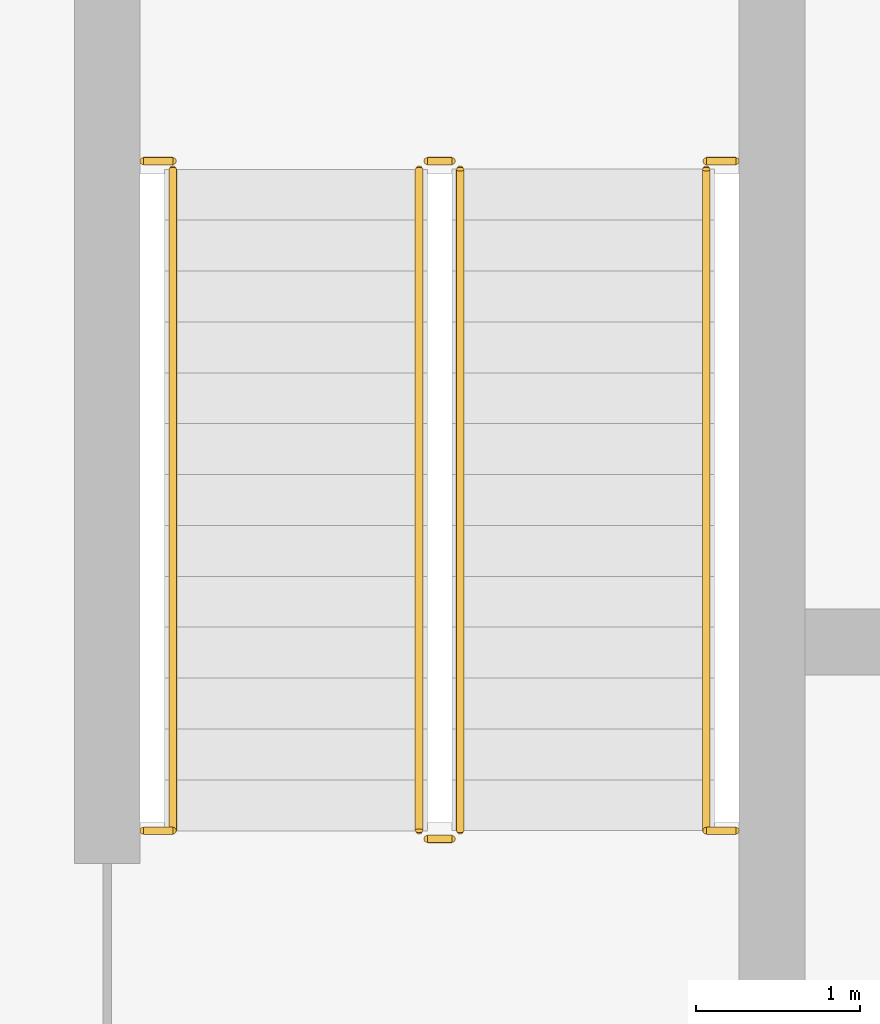
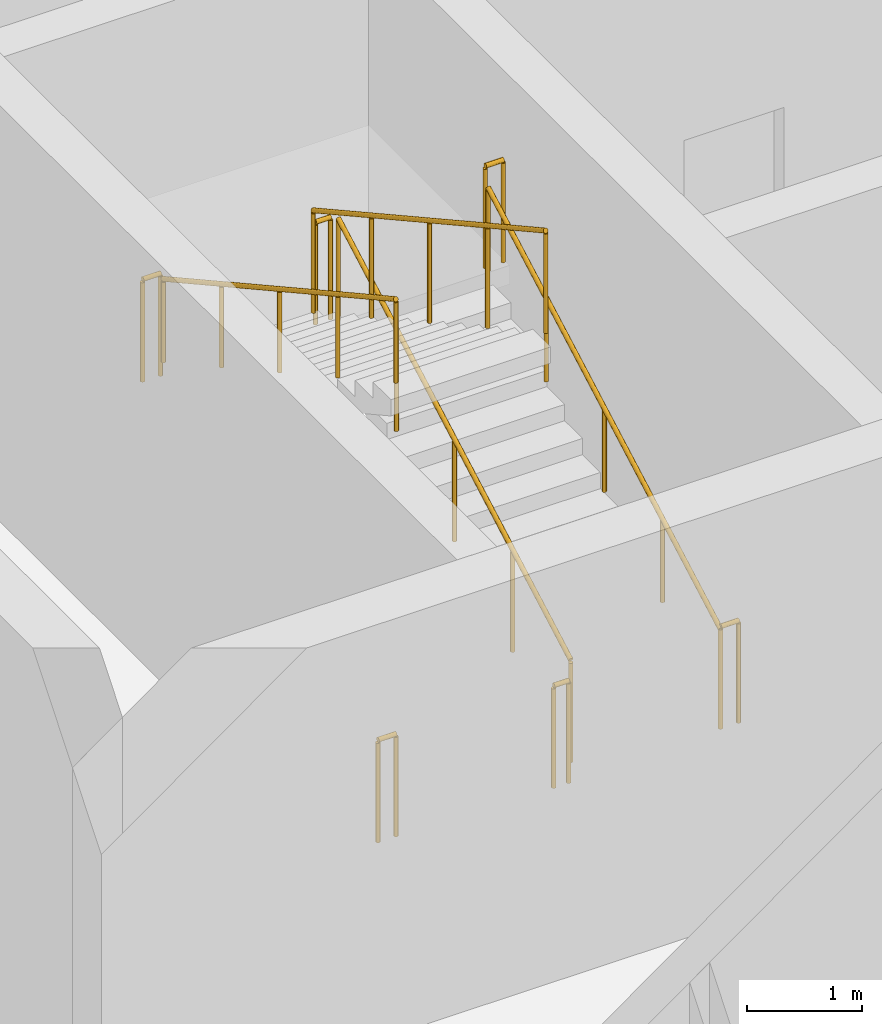
# One storey, part 25 of 29: 10 railings.
"""IFC4 building model written with IfcOpenShell, lengths in metres."""

from ifc_helpers import new_model, si_unit, direction, frame, origin, origin_2d, place, context, subcontext, project, spatial, circle, extrude, material, type_object, element, save


model = new_model("IFC4")

# Units and contexts
model_context = context("Model", 3, precision=1e-05, world=origin(), true_north=direction((0.0, 1.0)))
body_context = subcontext(model_context, "Body", "Model", "MODEL_VIEW")
ifc_project = project(units=[si_unit("LENGTHUNIT", "METRE"), si_unit("AREAUNIT", "SQUARE_METRE"), si_unit("VOLUMEUNIT", "CUBIC_METRE"), si_unit("PLANEANGLEUNIT", "RADIAN"), si_unit("MASSUNIT", "GRAM", prefix="KILO")], contexts=[model_context])

# Site, building, storey
site_placement = place(None, origin())
site = spatial("IfcSite", under=ifc_project, at=site_placement, CompositionType="ELEMENT")
building_placement = place(site_placement, origin())
building = spatial("IfcBuilding", under=site, at=building_placement, Name="Madar Terraces", CompositionType="ELEMENT")
storey_placement = place(building_placement, frame((0.0, 0.0, 296.300048828125)))
storey = spatial("IfcBuildingStorey", under=building, at=storey_placement, Name="L77", CompositionType="ELEMENT", Elevation=296.300048828125)

# Railings
ifc_material_1 = material(Name="Stainless steel railing", Category="steel")
railing_type_1 = type_object("IfcRailingType", Name="Stair guard 1100", PredefinedType="GUARDRAIL", material=ifc_material_1)
railing_1_placement = place(storey_placement, frame((21.199951171875, 17.60009765625, 0.17138671875)))
element("IfcRailing", 1, at=railing_1_placement, inside=storey, type_object=railing_type_1, Name="L77 ST1 stair guard 1", PredefinedType="GUARDRAIL", context=body_context, shape_type="SweptSolid", body=[
    extrude(circle(Radius=0.02392578125, at=origin_2d()), frame((0.0, 0.0, 1.076171875), z_axis=(0.0, 0.875100925707, 0.483940461035), x_axis=(-1.0, 0.0, 0.0)), (0.0, 0.0, 1.0), 4.60498046875),
    extrude(circle(Radius=0.02099609375, at=origin_2d()), origin(), (0.0, 0.0, 1.0), 1.052001953125),
    extrude(circle(Radius=0.02099609375, at=origin_2d()), frame((0.0, 1.00732421875, 0.55712890625)), (0.0, 0.0, 1.0), 1.052001953125),
    extrude(circle(Radius=0.02099609375, at=origin_2d()), frame((0.0, 2.014892578125, 1.1142578125)), (0.0, 0.0, 1.0), 1.052001953125),
    extrude(circle(Radius=0.02099609375, at=origin_2d()), frame((0.0, 3.0224609375, 1.67138671875)), (0.0, 0.0, 1.0), 1.052001953125),
    extrude(circle(Radius=0.02099609375, at=origin_2d()), frame((0.0, 4.02978515625, 2.228515625)), (0.0, 0.0, 1.0), 1.052001953125),
])
railing_2_placement = place(storey_placement, frame((21.14990234375, 21.679931640625, 2.39990234375)))
element("IfcRailing", 2, at=railing_2_placement, inside=storey, type_object=railing_type_1, Name="L77 ST1 stair guard 2", PredefinedType="GUARDRAIL", context=body_context, shape_type="SweptSolid", body=[
    extrude(circle(Radius=0.02392578125, at=origin_2d()), frame((0.0, 0.0, 1.076171875), z_axis=(-1.0, 0.0, 0.0), x_axis=(0.0, -1.0, 0.0)), (0.0, 0.0, 1.0), 0.14990234375),
    extrude(circle(Radius=0.02099609375, at=origin_2d()), origin(), (0.0, 0.0, 1.0), 1.052001953125),
    extrude(circle(Radius=0.02099609375, at=origin_2d()), frame((-0.14990234375, 0.0, 0.0)), (0.0, 0.0, 1.0), 1.052001953125),
])
railing_3_placement = place(storey_placement, frame((20.949951171875, 21.6298828125, 2.5712890625)))
element("IfcRailing", 3, at=railing_3_placement, inside=storey, type_object=railing_type_1, Name="L77 ST1 stair guard 3", PredefinedType="GUARDRAIL", context=body_context, shape_type="SweptSolid", body=[
    extrude(circle(Radius=0.02392578125, at=origin_2d()), frame((0.0, 0.0, 1.076171875), z_axis=(0.0, -0.875078472754, 0.483981060086), x_axis=(1.0, 0.0, 0.0)), (0.0, 0.0, 1.0), 4.60498046875),
    extrude(circle(Radius=0.02099609375, at=origin_2d()), origin(), (0.0, 0.0, 1.0), 1.052001953125),
    extrude(circle(Radius=0.02099609375, at=origin_2d()), frame((0.0, -1.00732421875, 0.55712890625)), (0.0, 0.0, 1.0), 1.052001953125),
    extrude(circle(Radius=0.02099609375, at=origin_2d()), frame((0.0, -2.014892578125, 1.1142578125)), (0.0, 0.0, 1.0), 1.052001953125),
    extrude(circle(Radius=0.02099609375, at=origin_2d()), frame((0.0, -3.0224609375, 1.671630859375)), (0.0, 0.0, 1.0), 1.052001953125),
    extrude(circle(Radius=0.02099609375, at=origin_2d()), frame((0.0, -4.02978515625, 2.228759765625)), (0.0, 0.0, 1.0), 1.052001953125),
])
railing_4_placement = place(storey_placement, frame((21.14990234375, 17.550048828125, 0.0)))
element("IfcRailing", 4, at=railing_4_placement, inside=storey, type_object=railing_type_1, Name="L77 ST1 stair guard 4", PredefinedType="GUARDRAIL", context=body_context, shape_type="SweptSolid", body=[
    extrude(circle(Radius=0.02392578125, at=origin_2d()), frame((0.0, 0.0, 1.076171875), z_axis=(-1.0, 0.0, 0.0), x_axis=(0.0, -1.0, 0.0)), (0.0, 0.0, 1.0), 0.14990234375),
    extrude(circle(Radius=0.02099609375, at=origin_2d()), origin(), (0.0, 0.0, 1.0), 1.052001953125),
    extrude(circle(Radius=0.02099609375, at=origin_2d()), frame((-0.14990234375, 0.0, 0.0)), (0.0, 0.0, 1.0), 1.052001953125),
])
for number, where, name in (
    (5, (19.27001953125, 21.679931640625, 2.39990234375), "L77 stair guard seat 1"),
    (6, (22.699951171875, 21.679931640625, 2.39990234375), "L77 stair guard seat 2"),
    (7, (19.27001953125, 17.60009765625, 0.0), "L77 stair guard floor 1"),
    (8, (22.699951171875, 17.60009765625, 0.0), "L77 stair guard floor 2"),
):
    element("IfcRailing", number, at=place(storey_placement, frame(where)), inside=storey, type_object=railing_type_1, Name=name, PredefinedType="GUARDRAIL", context=body_context, shape_type="SweptSolid", body=[
        extrude(circle(Radius=0.02392578125, at=origin_2d()), frame((0.0, 0.0, 1.076171875), z_axis=(1.0, 0.0, 0.0), x_axis=(0.0, 1.0, 0.0)), (0.0, 0.0, 1.0), 0.179931640625),
        extrude(circle(Radius=0.02099609375, at=origin_2d()), origin(), (0.0, 0.0, 1.0), 1.052001953125),
        extrude(circle(Radius=0.02099609375, at=origin_2d()), frame((0.179931640625, 0.0, 0.0)), (0.0, 0.0, 1.0), 1.052001953125),
    ])
ifc_material_2 = material(Name="Stainless steel railing", Category="steel")
railing_type_2 = type_object("IfcRailingType", Name="Stair handrail 900", PredefinedType="HANDRAIL", material=ifc_material_2)
railing_5_placement = place(storey_placement, frame((22.699951171875, 17.60009765625, 0.17138671875)))
element("IfcRailing", 9, at=railing_5_placement, inside=storey, type_object=railing_type_2, Name="L77 ST1 stair handrail 1", PredefinedType="HANDRAIL", context=body_context, shape_type="SweptSolid", body=[
    extrude(circle(Radius=0.02392578125, at=origin_2d()), frame((0.0, 0.0, 0.8759765625), z_axis=(0.0, 0.875100925707, 0.483940461035), x_axis=(-1.0, 0.0, 0.0)), (0.0, 0.0, 1.0), 4.60498046875),
    extrude(circle(Radius=0.02099609375, at=origin_2d()), origin(), (0.0, 0.0, 1.0), 0.851806640625),
    extrude(circle(Radius=0.02099609375, at=origin_2d()), frame((0.0, 1.00732421875, 0.55712890625)), (0.0, 0.0, 1.0), 0.851806640625),
    extrude(circle(Radius=0.02099609375, at=origin_2d()), frame((0.0, 2.014892578125, 1.1142578125)), (0.0, 0.0, 1.0), 0.851806640625),
    extrude(circle(Radius=0.02099609375, at=origin_2d()), frame((0.0, 3.0224609375, 1.67138671875)), (0.0, 0.0, 1.0), 0.851806640625),
    extrude(circle(Radius=0.02099609375, at=origin_2d()), frame((0.0, 4.02978515625, 2.228515625)), (0.0, 0.0, 1.0), 0.851806640625),
])
railing_6_placement = place(storey_placement, frame((19.449951171875, 21.6298828125, 2.5712890625)))
element("IfcRailing", 10, at=railing_6_placement, inside=storey, type_object=railing_type_2, Name="L77 ST1 stair handrail 2", PredefinedType="HANDRAIL", context=body_context, shape_type="SweptSolid", body=[
    extrude(circle(Radius=0.02392578125, at=origin_2d()), frame((0.0, 0.0, 0.8759765625), z_axis=(0.0, -0.875078472754, 0.483981060086), x_axis=(1.0, 0.0, 0.0)), (0.0, 0.0, 1.0), 4.60498046875),
    extrude(circle(Radius=0.02099609375, at=origin_2d()), origin(), (0.0, 0.0, 1.0), 0.851806640625),
    extrude(circle(Radius=0.02099609375, at=origin_2d()), frame((0.0, -1.00732421875, 0.55712890625)), (0.0, 0.0, 1.0), 0.851806640625),
    extrude(circle(Radius=0.02099609375, at=origin_2d()), frame((0.0, -2.014892578125, 1.1142578125)), (0.0, 0.0, 1.0), 0.851806640625),
    extrude(circle(Radius=0.02099609375, at=origin_2d()), frame((0.0, -3.0224609375, 1.671630859375)), (0.0, 0.0, 1.0), 0.851806640625),
    extrude(circle(Radius=0.02099609375, at=origin_2d()), frame((0.0, -4.02978515625, 2.228759765625)), (0.0, 0.0, 1.0), 0.851806640625),
])

save(model, "model.ifc")
